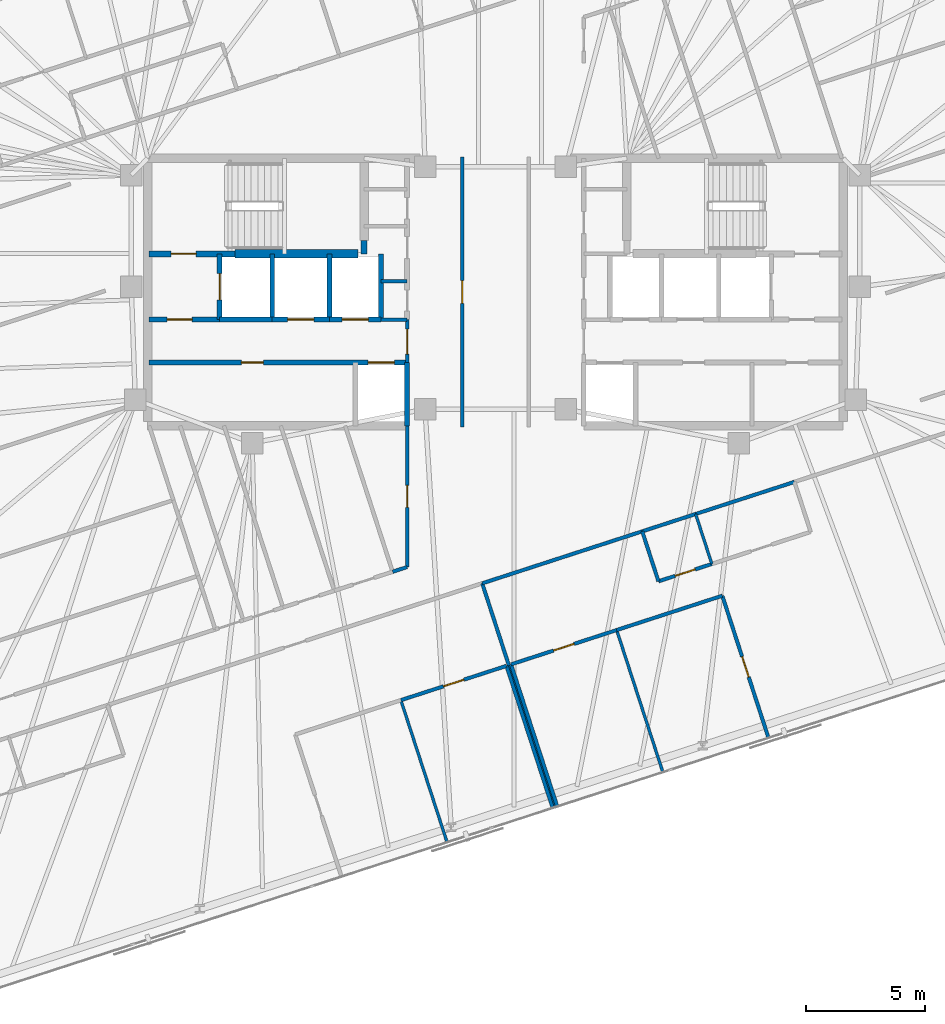
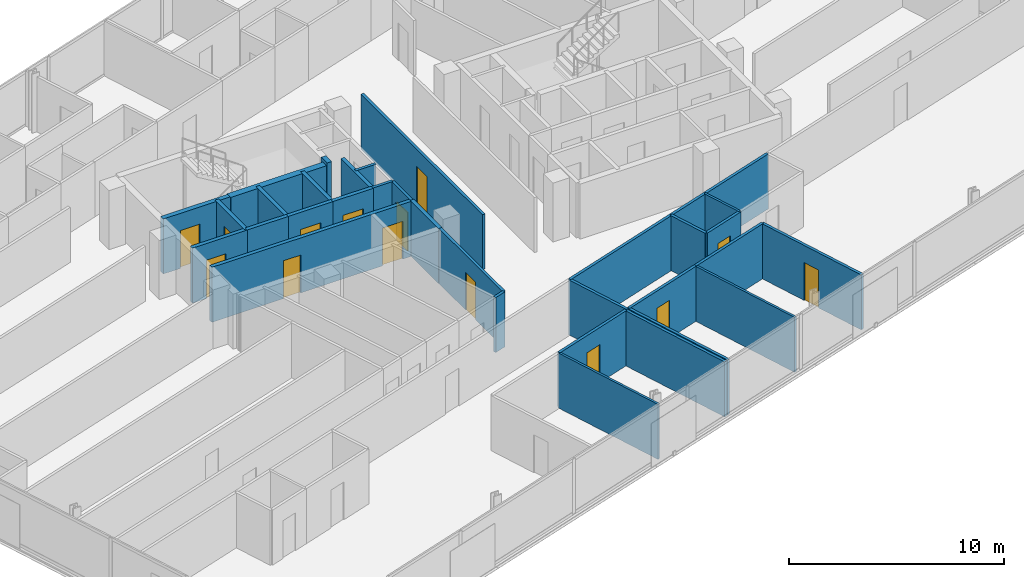
# One storey, part 14 of 20: 34 walls, 14 doors, 14 openings.
"""IFC4 building model written with IfcOpenShell, lengths in metres."""

from ifc_helpers import new_model, si_unit, direction, frame, frame_2d, origin, place, context, subcontext, project, spatial, rectangle, extrude, material, layer, layer_set, type_object, element, fill, save


model = new_model("IFC4")

# Units and contexts
model_context = context("Model", 3, precision=1e-05, world=origin(), true_north=direction((0.0, 1.0)))
body_context = subcontext(model_context, "Body", "Model", "MODEL_VIEW")
ifc_project = project(units=[si_unit("LENGTHUNIT", "METRE"), si_unit("AREAUNIT", "SQUARE_METRE"), si_unit("VOLUMEUNIT", "CUBIC_METRE"), si_unit("PLANEANGLEUNIT", "RADIAN"), si_unit("MASSUNIT", "GRAM", prefix="KILO")], contexts=[model_context])

# Site, building, storey
site_placement = place(None, origin())
site = spatial("IfcSite", under=ifc_project, at=site_placement, CompositionType="ELEMENT")
building_placement = place(site_placement, origin())
building = spatial("IfcBuilding", under=site, at=building_placement, Name="Menara Jurai Vektor", CompositionType="ELEMENT")
storey_placement = place(building_placement, frame((0.0, 0.0, 224.300048828125)))
storey = spatial("IfcBuildingStorey", under=building, at=storey_placement, Name="L59", CompositionType="ELEMENT", Elevation=224.300048828125)

# Wall, opening, door
ifc_material_1 = material(Name="Concrete C40/50", Category="concrete")
ifc_layer_1 = layer(ifc_material_1, 0.25)
ifc_layer_set_1 = layer_set([ifc_layer_1], Name="Concrete C40/50")
wall_type_1 = type_object("IfcWallType", Name="INT-WALL-CORE-250", PredefinedType="STANDARD", material=ifc_layer_set_1)
wall_1_placement = place(storey_placement, frame((-14.5, 1.60009765625, 0.0), z_axis=(0.0, 0.0, 1.0), x_axis=(1.0, 0.0, 0.0)))
wall_1 = element("IfcWall", 1, at=wall_1_placement, inside=storey, type_object=wall_type_1, Name="Interior Wall IW-250 L59", PredefinedType="STANDARD", context=body_context, shape_type="SweptSolid", body=[
    extrude(rectangle(XDim=3.60009765625, YDim=0.25, at=frame_2d((1.800048828125, 0.0))), origin(), (0.0, 0.0, 1.0), 3.125),
])
opening_1_placement = place(wall_1_placement, frame((0.919921875, 0.0, 0.0)))
opening_1 = element("IfcOpeningElement", 2, at=opening_1_placement, cuts=wall_1, Name="Opening D-L59-ST1", PredefinedType="OPENING", context=body_context, shape_type="SweptSolid", body=[
    extrude(rectangle(XDim=1.050048828125, YDim=2.14990234375, at=frame_2d((0.52490234375, 1.074951171875))), frame((0.0, 0.135009765625, 0.0), z_axis=(0.0, -1.0, 0.0), x_axis=(1.0, 0.0, 0.0)), (0.0, 0.0, 1.0), 0.27001953125),
])
ifc_material_2 = material(Name="Fire-Rated Steel Door", Category="steel")
door_type_1 = type_object("IfcDoorType", Name="DR-STAIR-1050", OperationType="NOTDEFINED", PredefinedType="DOOR", material=ifc_material_2)
door_1_placement = place(opening_1_placement, origin())
door_1 = element("IfcDoor", 3, at=door_1_placement, inside=storey, type_object=door_type_1, Name="Exit Stair ST1 Door L59", OperationType="SINGLE_SWING_RIGHT", OverallHeight=2.14990234375, OverallWidth=1.050048828125, PredefinedType="DOOR", context=body_context, shape_type="SweptSolid", body=[
    extrude(rectangle(XDim=1.050048828125, YDim=2.14990234375, at=frame_2d((0.52490234375, 1.074951171875))), frame((0.0, 0.02490234375, 0.0), z_axis=(0.0, -1.0, 0.0), x_axis=(1.0, 0.0, 0.0)), (0.0, 0.0, 1.0), 0.050048828125),
])
fill(opening_1, door_1)

# Wall
wall_2_placement = place(storey_placement, frame((-5.5, 1.60009765625, 0.0), z_axis=(0.0, 0.0, 1.0), x_axis=(0.0, 1.0, 0.0)))
element("IfcWall", 4, at=wall_2_placement, inside=storey, type_object=wall_type_1, Name="Interior Wall IW-250 L59", PredefinedType="STANDARD", context=body_context, shape_type="SweptSolid", body=[
    extrude(rectangle(XDim=0.5498046875, YDim=0.25, at=frame_2d((0.27490234375, 0.0))), origin(), (0.0, 0.0, 1.0), 3.125),
])

# Wall, opening, door
wall_3_placement = place(storey_placement, frame((-11.550048828125, -1.14990234375, 0.0), z_axis=(0.0, 0.0, 1.0), x_axis=(0.0, 1.0, 0.0)))
wall_3 = element("IfcWall", 5, at=wall_3_placement, inside=storey, type_object=wall_type_1, Name="Interior Wall IW-250 L59", PredefinedType="STANDARD", context=body_context, shape_type="SweptSolid", body=[
    extrude(rectangle(XDim=2.75, YDim=0.199951171875, at=frame_2d((1.375, 0.0))), origin(), (0.0, 0.0, 1.0), 3.125),
])
opening_2_placement = place(wall_3_placement, frame((0.824951171875, 0.0, 0.0)))
opening_2 = element("IfcOpeningElement", 6, at=opening_2_placement, cuts=wall_3, Name="Opening LD-L59-FL1", PredefinedType="OPENING", context=body_context, shape_type="SweptSolid", body=[
    extrude(rectangle(XDim=1.10009765625, YDim=2.14990234375, at=frame_2d((0.550048828125, 1.074951171875))), frame((0.0, 0.10986328125, 0.0), z_axis=(0.0, -1.0, 0.0), x_axis=(1.0, 0.0, 0.0)), (0.0, 0.0, 1.0), 0.219970703125),
])
ifc_material_3 = material(Name="Stainless Steel Sliding Lift Landing Door", Category="steel")
door_type_2 = type_object("IfcDoorType", Name="DR-LIFT-FIRE-1100", OperationType="NOTDEFINED", PredefinedType="DOOR", material=ifc_material_3)
door_2_placement = place(opening_2_placement, origin())
door_2 = element("IfcDoor", 7, at=door_2_placement, inside=storey, type_object=door_type_2, Name="Lift Landing Door FL1 L59", OperationType="SLIDING_TO_RIGHT", OverallHeight=2.14990234375, OverallWidth=1.10009765625, PredefinedType="DOOR", context=body_context, shape_type="SweptSolid", body=[
    extrude(rectangle(XDim=1.10009765625, YDim=2.14990234375, at=frame_2d((0.550048828125, 1.074951171875))), frame((0.0, 0.02490234375, 0.0), z_axis=(0.0, -1.0, 0.0), x_axis=(1.0, 0.0, 0.0)), (0.0, 0.0, 1.0), 0.050048828125),
])
fill(opening_2, door_2)

# Wall
wall_4_placement = place(storey_placement, frame((-9.35009765625, -1.14990234375, 0.0), z_axis=(0.0, 0.0, 1.0), x_axis=(0.0, 1.0, 0.0)))
element("IfcWall", 8, at=wall_4_placement, inside=storey, type_object=wall_type_1, Name="Interior Wall IW-250 L59", PredefinedType="STANDARD", context=body_context, shape_type="SweptSolid", body=[
    extrude(rectangle(XDim=2.75, YDim=0.199951171875, at=frame_2d((1.375, 0.0))), origin(), (0.0, 0.0, 1.0), 3.125),
])

# Wall, opening, door
wall_5_placement = place(storey_placement, frame((-14.5, -1.14990234375, 0.0), z_axis=(0.0, 0.0, 1.0), x_axis=(1.0, 0.0, 0.0)))
wall_5 = element("IfcWall", 9, at=wall_5_placement, inside=storey, type_object=wall_type_1, Name="Interior Wall IW-250 L59", PredefinedType="STANDARD", context=body_context, shape_type="SweptSolid", body=[
    extrude(rectangle(XDim=2.949951171875, YDim=0.199951171875, at=frame_2d((1.47509765625, 0.0))), origin(), (0.0, 0.0, 1.0), 3.125),
])
opening_3_placement = place(wall_5_placement, frame((0.75, 0.0, 0.0)))
opening_3 = element("IfcOpeningElement", 10, at=opening_3_placement, cuts=wall_5, Name="Opening D-L59-FFW", PredefinedType="OPENING", context=body_context, shape_type="SweptSolid", body=[
    extrude(rectangle(XDim=1.050048828125, YDim=2.179931640625, at=frame_2d((0.52490234375, 1.08984375))), frame((0.0, 0.10986328125, 0.0), z_axis=(0.0, -1.0, 0.0), x_axis=(1.0, 0.0, 0.0)), (0.0, 0.0, 1.0), 0.219970703125),
])
ifc_material_4 = material(Name="Fire-Rated Timber Door", Category="wood")
door_type_3 = type_object("IfcDoorType", Name="DR-LOBBY-1050", OperationType="NOTDEFINED", PredefinedType="DOOR", material=ifc_material_4)
door_3_placement = place(opening_3_placement, origin())
door_3 = element("IfcDoor", 11, at=door_3_placement, inside=storey, type_object=door_type_3, Name="Fire Lift Lobby Door W L59", OperationType="SINGLE_SWING_RIGHT", OverallHeight=2.179931640625, OverallWidth=1.050048828125, PredefinedType="DOOR", context=body_context, shape_type="SweptSolid", body=[
    extrude(rectangle(XDim=1.050048828125, YDim=2.179931640625, at=frame_2d((0.52490234375, 1.08984375))), frame((0.0, 0.02490234375, 0.0), z_axis=(0.0, -1.0, 0.0), x_axis=(1.0, 0.0, 0.0)), (0.0, 0.0, 1.0), 0.050048828125),
])
fill(opening_3, door_3)

# Wall
wall_6_placement = place(storey_placement, frame((-11.550048828125, -1.14990234375, 0.0), z_axis=(0.0, 0.0, 1.0), x_axis=(1.0, 0.0, 0.0)))
element("IfcWall", 12, at=wall_6_placement, inside=storey, type_object=wall_type_1, Name="Interior Wall IW-250 L59", PredefinedType="STANDARD", context=body_context, shape_type="SweptSolid", body=[
    extrude(rectangle(XDim=2.199951171875, YDim=0.199951171875, at=frame_2d((1.10009765625, 0.0))), origin(), (0.0, 0.0, 1.0), 3.125),
])

# Wall, opening, door
ifc_material_5 = material(Name="Gypsum Fireboard Partition", Category="gypsum")
ifc_layer_2 = layer(ifc_material_5, 0.14990234375)
ifc_layer_set_2 = layer_set([ifc_layer_2], Name="Gypsum Fireboard Partition")
wall_type_2 = type_object("IfcWallType", Name="INT-WALL-CORR-150", PredefinedType="PARTITIONING", material=ifc_layer_set_2)
wall_7_placement = place(storey_placement, frame((-3.699951171875, -2.949951171875, 0.0), z_axis=(0.0, 0.0, 1.0), x_axis=(0.0, 1.0, 0.0)))
wall_7 = element("IfcWall", 13, at=wall_7_placement, inside=storey, type_object=wall_type_2, Name="Interior Wall IW-150 L59", PredefinedType="PARTITIONING", context=body_context, shape_type="SweptSolid", body=[
    extrude(rectangle(XDim=1.800048828125, YDim=0.14990234375, at=frame_2d((0.89990234375, 0.0))), origin(), (0.0, 0.0, 1.0), 3.125),
])
opening_4_placement = place(wall_7_placement, frame((0.35009765625, 0.0, 0.0)))
opening_4 = element("IfcOpeningElement", 14, at=opening_4_placement, cuts=wall_7, Name="Opening D-L59-LLW", PredefinedType="OPENING", context=body_context, shape_type="SweptSolid", body=[
    extrude(rectangle(XDim=1.050048828125, YDim=2.179931640625, at=frame_2d((0.52490234375, 1.08984375))), frame((0.0, 0.0849609375, 0.0), z_axis=(0.0, -1.0, 0.0), x_axis=(1.0, 0.0, 0.0)), (0.0, 0.0, 1.0), 0.169921875),
])
door_4_placement = place(opening_4_placement, origin())
door_4 = element("IfcDoor", 15, at=door_4_placement, inside=storey, type_object=door_type_3, Name="Lift Lobby Corridor Door W L59", OperationType="SINGLE_SWING_LEFT", OverallHeight=2.179931640625, OverallWidth=1.050048828125, PredefinedType="DOOR", context=body_context, shape_type="SweptSolid", body=[
    extrude(rectangle(XDim=1.050048828125, YDim=2.179931640625, at=frame_2d((0.52490234375, 1.08984375))), frame((0.0, 0.02490234375, 0.0), z_axis=(0.0, -1.0, 0.0), x_axis=(1.0, 0.0, 0.0)), (0.0, 0.0, 1.0), 0.050048828125),
])
fill(opening_4, door_4)

# Walls
for number, where, z_axis, x_axis, name in (
    (16, (-4.7900390625, -1.14990234375, 0.0), (0.0, 0.0, 1.0), (1.0, 0.0, 0.0), "Interior Wall IW-150 L59"),
    (17, (-4.7900390625, 0.449951171875, 0.0), (0.0, 0.0, 1.0), (1.0, 0.0, 0.0), "Interior Wall IW-150 L59"),
):
    element("IfcWall", number, at=place(storey_placement, frame(where, z_axis=z_axis, x_axis=x_axis)), inside=storey, type_object=wall_type_2, Name=name, PredefinedType="PARTITIONING", context=body_context, shape_type="SweptSolid", body=[
        extrude(rectangle(XDim=1.090087890625, YDim=0.14990234375, at=frame_2d((0.544921875, 0.0))), origin(), (0.0, 0.0, 1.0), 3.125),
    ])

# Wall, opening, door
wall_8_placement = place(storey_placement, frame((-1.390625, -5.650146484375, 0.0), z_axis=(0.0, 0.0, 1.0), x_axis=(-8.6422954e-05, 0.999999996266, 0.0)))
wall_8 = element("IfcWall", 18, at=wall_8_placement, inside=storey, type_object=wall_type_2, Name="Interior Wall IW-150 L59", PredefinedType="PARTITIONING", context=body_context, shape_type="SweptSolid", body=[
    extrude(rectangle(XDim=11.2998046875, YDim=0.14990234375, at=frame_2d((5.64990234375, 0.0))), origin(), (0.0, 0.0, 1.0), 3.125),
])
opening_5_placement = place(wall_8_placement, frame((5.1748046875, 0.0, 0.0)))
opening_5 = element("IfcOpeningElement", 19, at=opening_5_placement, cuts=wall_8, Name="Opening D59-09", PredefinedType="OPENING", context=body_context, shape_type="SweptSolid", body=[
    extrude(rectangle(XDim=0.949951171875, YDim=2.14990234375, at=frame_2d((0.47509765625, 1.074951171875))), frame((0.0, 0.0849609375, 0.0), z_axis=(0.0, -1.0, 0.0), x_axis=(1.0, 0.0, 0.0)), (0.0, 0.0, 1.0), 0.169921875),
])
ifc_material_6 = material(Name="Solid Core Timber Fire Door", Category="wood")
door_type_4 = type_object("IfcDoorType", Name="DR-ENTRY-950", OperationType="NOTDEFINED", PredefinedType="DOOR", material=ifc_material_6)
door_5_placement = place(opening_5_placement, origin())
door_5 = element("IfcDoor", 20, at=door_5_placement, inside=storey, type_object=door_type_4, Name="Interior Door D59-09", OperationType="SINGLE_SWING_LEFT", OverallHeight=2.14990234375, OverallWidth=0.949951171875, PredefinedType="DOOR", context=body_context, shape_type="SweptSolid", body=[
    extrude(rectangle(XDim=0.949951171875, YDim=2.14990234375, at=frame_2d((0.47509765625, 1.074951171875))), frame((0.0, 0.02490234375, 0.0), z_axis=(0.0, -1.0, 0.0), x_axis=(1.0, 0.0, 0.0)), (0.0, 0.0, 1.0), 0.050048828125),
])
fill(opening_5, door_5)

# Walls
wall_9_placement = place(storey_placement, frame((-0.55517578125, -12.1953125, 0.0), z_axis=(0.0, 0.0, 1.0), x_axis=(0.951057495482, 0.309013980732, 0.0)))
element("IfcWall", 21, at=wall_9_placement, inside=storey, type_object=wall_type_2, Name="Interior Wall IW-150 L59", PredefinedType="PARTITIONING", context=body_context, shape_type="SweptSolid", body=[
    extrude(rectangle(XDim=7.044921875, YDim=0.14990234375, at=frame_2d((3.5224609375, 0.0))), origin(), (0.0, 0.0, 1.0), 3.125),
])
wall_10_placement = place(storey_placement, frame((6.14501953125, -10.018310546875, 0.0), z_axis=(0.0, 0.0, 1.0), x_axis=(0.951035595692, 0.309081373955, 0.0)))
element("IfcWall", 22, at=wall_10_placement, inside=storey, type_object=wall_type_2, Name="Interior Wall IW-150 L59", PredefinedType="PARTITIONING", context=body_context, shape_type="SweptSolid", body=[
    extrude(rectangle(XDim=2.349853515625, YDim=0.14990234375, at=frame_2d((1.1748046875, 0.0))), origin(), (0.0, 0.0, 1.0), 3.125),
])
wall_11_placement = place(storey_placement, frame((8.3798828125, -9.2919921875, 0.0), z_axis=(0.0, 0.0, 1.0), x_axis=(0.951074479912, 0.30896170258, 0.0)))
element("IfcWall", 23, at=wall_11_placement, inside=storey, type_object=wall_type_2, Name="Interior Wall IW-150 L59", PredefinedType="PARTITIONING", context=body_context, shape_type="SweptSolid", body=[
    extrude(rectangle(XDim=4.35009765625, YDim=0.14990234375, at=frame_2d((2.175048828125, 0.0))), origin(), (0.0, 0.0, 1.0), 3.125),
])
wall_12_placement = place(storey_placement, frame((-4.306396484375, -11.710693359375, 0.0), z_axis=(0.0, 0.0, 1.0), x_axis=(0.95110436063, 0.308869705847, 0.0)))
element("IfcWall", 24, at=wall_12_placement, inside=storey, type_object=wall_type_2, Name="Interior Wall IW-150 L59", PredefinedType="PARTITIONING", context=body_context, shape_type="SweptSolid", body=[
    extrude(rectangle(XDim=0.637939453125, YDim=0.14990234375, at=frame_2d((0.31884765625, 0.0))), origin(), (0.0, 0.0, 1.0), 3.125),
])

# Wall, opening, door
wall_13_placement = place(storey_placement, frame((-3.69970703125, -11.513671875, 0.0), z_axis=(0.0, 0.0, 1.0), x_axis=(-8.2572974e-05, 0.999999996591, 0.0)))
wall_13 = element("IfcWall", 25, at=wall_13_placement, inside=storey, type_object=wall_type_2, Name="Interior Wall IW-150 L59", PredefinedType="PARTITIONING", context=body_context, shape_type="SweptSolid", body=[
    extrude(rectangle(XDim=5.913330078125, YDim=0.14990234375, at=frame_2d((2.95654296875, 0.0))), origin(), (0.0, 0.0, 1.0), 3.125),
])
opening_6_placement = place(wall_13_placement, frame((2.49658203125, 0.0, 0.0)))
opening_6 = element("IfcOpeningElement", 26, at=opening_6_placement, cuts=wall_13, Name="Opening D59-49", PredefinedType="OPENING", context=body_context, shape_type="SweptSolid", body=[
    extrude(rectangle(XDim=0.919921875, YDim=2.14990234375, at=frame_2d((0.4599609375, 1.074951171875))), frame((0.0, 0.0849609375, 0.0), z_axis=(0.0, -1.0, 0.0), x_axis=(1.0, 0.0, 0.0)), (0.0, 0.0, 1.0), 0.169921875),
])
door_6_placement = place(opening_6_placement, origin())
door_6 = element("IfcDoor", 27, at=door_6_placement, inside=storey, type_object=door_type_4, Name="Interior Door D59-49", OperationType="SINGLE_SWING_LEFT", OverallHeight=2.14990234375, OverallWidth=0.919921875, PredefinedType="DOOR", context=body_context, shape_type="SweptSolid", body=[
    extrude(rectangle(XDim=0.919921875, YDim=2.14990234375, at=frame_2d((0.4599609375, 1.074951171875))), frame((0.0, 0.02490234375, 0.0), z_axis=(0.0, -1.0, 0.0), x_axis=(1.0, 0.0, 0.0)), (0.0, 0.0, 1.0), 0.050048828125),
])
fill(opening_6, door_6)

wall_14_placement = place(storey_placement, frame((-3.960205078125, -17.0869140625, 0.0), z_axis=(0.0, 0.0, 1.0), x_axis=(0.951050272606, 0.309036209813, 0.0)))
wall_14 = element("IfcWall", 28, at=wall_14_placement, inside=storey, type_object=wall_type_2, Name="Interior Wall IW-150 L59", PredefinedType="PARTITIONING", context=body_context, shape_type="SweptSolid", body=[
    extrude(rectangle(XDim=4.64990234375, YDim=0.14990234375, at=frame_2d((2.324951171875, 0.0))), origin(), (0.0, 0.0, 1.0), 3.125),
])
opening_7_placement = place(wall_14_placement, frame((1.875, 0.0, 0.0)))
opening_7 = element("IfcOpeningElement", 29, at=opening_7_placement, cuts=wall_14, Name="Opening D59-34", PredefinedType="OPENING", context=body_context, shape_type="SweptSolid", body=[
    extrude(rectangle(XDim=0.89990234375, YDim=2.14990234375, at=frame_2d((0.449951171875, 1.074951171875))), frame((0.0, 0.0849609375, 0.0), z_axis=(0.0, -1.0, 0.0), x_axis=(1.0, 0.0, 0.0)), (0.0, 0.0, 1.0), 0.169921875),
])
ifc_material_7 = material(Name="Acoustic Timber Interior Door", Category="wood")
door_type_5 = type_object("IfcDoorType", Name="DR-ROOM-900", OperationType="NOTDEFINED", PredefinedType="DOOR", material=ifc_material_7)
door_7_placement = place(opening_7_placement, origin())
door_7 = element("IfcDoor", 30, at=door_7_placement, inside=storey, type_object=door_type_5, Name="Interior Door D59-34", OperationType="SINGLE_SWING_RIGHT", OverallHeight=2.14990234375, OverallWidth=0.89990234375, PredefinedType="DOOR", context=body_context, shape_type="SweptSolid", body=[
    extrude(rectangle(XDim=0.89990234375, YDim=2.14990234375, at=frame_2d((0.449951171875, 1.074951171875))), frame((0.0, 0.02490234375, 0.0), z_axis=(0.0, -1.0, 0.0), x_axis=(1.0, 0.0, 0.0)), (0.0, 0.0, 1.0), 0.050048828125),
])
fill(opening_7, door_7)

# Walls
wall_15_placement = place(storey_placement, frame((2.397216796875, -21.60546875, 0.0), z_axis=(0.0, 0.0, 1.0), x_axis=(-0.309013782848, 0.951057559777, 0.0)))
element("IfcWall", 31, at=wall_15_placement, inside=storey, type_object=wall_type_2, Name="Interior Wall IW-150 L59", PredefinedType="PARTITIONING", context=body_context, shape_type="SweptSolid", body=[
    extrude(rectangle(XDim=6.261962890625, YDim=0.14990234375, at=frame_2d((3.130859375, 0.0))), origin(), (0.0, 0.0, 1.0), 3.125),
])
wall_16_placement = place(storey_placement, frame((2.4921875, -21.57470703125, 0.0), z_axis=(0.0, 0.0, 1.0), x_axis=(-0.308999867152, 0.951062081097, 0.0)))
element("IfcWall", 32, at=wall_16_placement, inside=storey, type_object=wall_type_2, Name="Interior Wall IW-150 L59", PredefinedType="PARTITIONING", context=body_context, shape_type="SweptSolid", body=[
    extrude(rectangle(XDim=9.862060546875, YDim=0.14990234375, at=frame_2d((4.93115234375, 0.0))), origin(), (0.0, 0.0, 1.0), 3.125),
])
wall_17_placement = place(storey_placement, frame((6.82470703125, -12.110595703125, 0.0), z_axis=(0.0, 0.0, 1.0), x_axis=(-0.308960600764, 0.951074837842, 0.0)))
element("IfcWall", 33, at=wall_17_placement, inside=storey, type_object=wall_type_2, Name="Interior Wall IW-150 L59", PredefinedType="PARTITIONING", context=body_context, shape_type="SweptSolid", body=[
    extrude(rectangle(XDim=2.199951171875, YDim=0.14990234375, at=frame_2d((1.10009765625, 0.0))), origin(), (0.0, 0.0, 1.0), 3.125),
])

# Wall, opening, door
wall_18_placement = place(storey_placement, frame((6.82470703125, -12.110595703125, 0.0), z_axis=(0.0, 0.0, 1.0), x_axis=(0.951076048914, 0.308956872689, 0.0)))
wall_18 = element("IfcWall", 34, at=wall_18_placement, inside=storey, type_object=wall_type_2, Name="Interior Wall IW-150 L59", PredefinedType="PARTITIONING", context=body_context, shape_type="SweptSolid", body=[
    extrude(rectangle(XDim=2.35009765625, YDim=0.14990234375, at=frame_2d((1.175048828125, 0.0))), origin(), (0.0, 0.0, 1.0), 3.125),
])
opening_8_placement = place(wall_18_placement, frame((0.735107421875, 0.0, 0.0)))
opening_8 = element("IfcOpeningElement", 35, at=opening_8_placement, cuts=wall_18, Name="Opening D59-36", PredefinedType="OPENING", context=body_context, shape_type="SweptSolid", body=[
    extrude(rectangle(XDim=0.8798828125, YDim=2.14990234375, at=frame_2d((0.43994140625, 1.074951171875))), frame((0.0, 0.0849609375, 0.0), z_axis=(0.0, -1.0, 0.0), x_axis=(1.0, 0.0, 0.0)), (0.0, 0.0, 1.0), 0.169921875),
])
ifc_material_8 = material(Name="Moisture-Resistant Timber Door", Category="wood")
door_type_6 = type_object("IfcDoorType", Name="DR-BATH-880", OperationType="NOTDEFINED", PredefinedType="DOOR", material=ifc_material_8)
door_8_placement = place(opening_8_placement, origin())
door_8 = element("IfcDoor", 36, at=door_8_placement, inside=storey, type_object=door_type_6, Name="Interior Door D59-36", OperationType="SINGLE_SWING_RIGHT", OverallHeight=2.14990234375, OverallWidth=0.8798828125, PredefinedType="DOOR", context=body_context, shape_type="SweptSolid", body=[
    extrude(rectangle(XDim=0.8798828125, YDim=2.14990234375, at=frame_2d((0.43994140625, 1.074951171875))), frame((0.0, 0.02490234375, 0.0), z_axis=(0.0, -1.0, 0.0), x_axis=(1.0, 0.0, 0.0)), (0.0, 0.0, 1.0), 0.050048828125),
])
fill(opening_8, door_8)

# Wall
wall_19_placement = place(storey_placement, frame((2.58740234375, -21.543701171875, 0.0), z_axis=(0.0, 0.0, 1.0), x_axis=(-0.309013782848, 0.951057559777, 0.0)))
element("IfcWall", 37, at=wall_19_placement, inside=storey, type_object=wall_type_2, Name="Interior Wall IW-150 L59", PredefinedType="PARTITIONING", context=body_context, shape_type="SweptSolid", body=[
    extrude(rectangle(XDim=6.261962890625, YDim=0.14990234375, at=frame_2d((3.130859375, 0.0))), origin(), (0.0, 0.0, 1.0), 3.125),
])

# Wall, opening, door
wall_20_placement = place(storey_placement, frame((0.65234375, -15.588134765625, 0.0), z_axis=(0.0, 0.0, 1.0), x_axis=(0.951065702951, 0.308988719326, 0.0)))
wall_20 = element("IfcWall", 38, at=wall_20_placement, inside=storey, type_object=wall_type_2, Name="Interior Wall IW-150 L59", PredefinedType="PARTITIONING", context=body_context, shape_type="SweptSolid", body=[
    extrude(rectangle(XDim=4.64990234375, YDim=0.14990234375, at=frame_2d((2.324951171875, 0.0))), origin(), (0.0, 0.0, 1.0), 3.125),
])
opening_9_placement = place(wall_20_placement, frame((1.875, 0.0, 0.0)))
opening_9 = element("IfcOpeningElement", 39, at=opening_9_placement, cuts=wall_20, Name="Opening D59-38", PredefinedType="OPENING", context=body_context, shape_type="SweptSolid", body=[
    extrude(rectangle(XDim=0.89990234375, YDim=2.14990234375, at=frame_2d((0.449951171875, 1.074951171875))), frame((0.0, 0.0849609375, 0.0), z_axis=(0.0, -1.0, 0.0), x_axis=(1.0, 0.0, 0.0)), (0.0, 0.0, 1.0), 0.169921875),
])
door_9_placement = place(opening_9_placement, origin())
door_9 = element("IfcDoor", 40, at=door_9_placement, inside=storey, type_object=door_type_5, Name="Interior Door D59-38", OperationType="SINGLE_SWING_RIGHT", OverallHeight=2.14990234375, OverallWidth=0.89990234375, PredefinedType="DOOR", context=body_context, shape_type="SweptSolid", body=[
    extrude(rectangle(XDim=0.89990234375, YDim=2.14990234375, at=frame_2d((0.449951171875, 1.074951171875))), frame((0.0, 0.02490234375, 0.0), z_axis=(0.0, -1.0, 0.0), x_axis=(1.0, 0.0, 0.0)), (0.0, 0.0, 1.0), 0.050048828125),
])
fill(opening_9, door_9)

# Wall
wall_21_placement = place(storey_placement, frame((5.07470703125, -14.1513671875, 0.0), z_axis=(0.0, 0.0, 1.0), x_axis=(0.951055286502, 0.309020779263, 0.0)))
element("IfcWall", 41, at=wall_21_placement, inside=storey, type_object=wall_type_2, Name="Interior Wall IW-150 L59", PredefinedType="PARTITIONING", context=body_context, shape_type="SweptSolid", body=[
    extrude(rectangle(XDim=4.650146484375, YDim=0.14990234375, at=frame_2d((2.3251953125, 0.0))), origin(), (0.0, 0.0, 1.0), 3.125),
])

# Wall, opening, door
wall_22_placement = place(storey_placement, frame((11.432373046875, -18.669921875, 0.0), z_axis=(0.0, 0.0, 1.0), x_axis=(-0.309013782848, 0.951057559777, 0.0)))
wall_22 = element("IfcWall", 42, at=wall_22_placement, inside=storey, type_object=wall_type_2, Name="Interior Wall IW-150 L59", PredefinedType="PARTITIONING", context=body_context, shape_type="SweptSolid", body=[
    extrude(rectangle(XDim=6.261962890625, YDim=0.14990234375, at=frame_2d((3.130859375, 0.0))), origin(), (0.0, 0.0, 1.0), 3.125),
])
opening_10_placement = place(wall_22_placement, frame((2.680908203125, 0.0, 0.0)))
opening_10 = element("IfcOpeningElement", 43, at=opening_10_placement, cuts=wall_22, Name="Opening D59-39", PredefinedType="OPENING", context=body_context, shape_type="SweptSolid", body=[
    extrude(rectangle(XDim=0.89990234375, YDim=2.14990234375, at=frame_2d((0.449951171875, 1.074951171875))), frame((0.0, 0.0849609375, 0.0), z_axis=(0.0, -1.0, 0.0), x_axis=(1.0, 0.0, 0.0)), (0.0, 0.0, 1.0), 0.169921875),
])
door_10_placement = place(opening_10_placement, origin())
door_10 = element("IfcDoor", 44, at=door_10_placement, inside=storey, type_object=door_type_5, Name="Interior Door D59-39", OperationType="SINGLE_SWING_LEFT", OverallHeight=2.14990234375, OverallWidth=0.89990234375, PredefinedType="DOOR", context=body_context, shape_type="SweptSolid", body=[
    extrude(rectangle(XDim=0.89990234375, YDim=2.14990234375, at=frame_2d((0.449951171875, 1.074951171875))), frame((0.0, 0.02490234375, 0.0), z_axis=(0.0, -1.0, 0.0), x_axis=(1.0, 0.0, 0.0)), (0.0, 0.0, 1.0), 0.050048828125),
])
fill(opening_10, door_10)

# Walls
ifc_material_9 = material(Name="Gypsum Acoustic Stud Partition", Category="gypsum")
ifc_layer_3 = layer(ifc_material_9, 0.1201171875)
ifc_layer_set_3 = layer_set([ifc_layer_3], Name="Gypsum Acoustic Stud Partition")
wall_type_3 = type_object("IfcWallType", Name="INT-WALL-PART-120", PredefinedType="PARTITIONING", material=ifc_layer_set_3)
wall_23_placement = place(storey_placement, frame((-2.025146484375, -23.04248046875, 0.0), z_axis=(0.0, 0.0, 1.0), x_axis=(-0.309013782848, 0.951057559777, 0.0)))
element("IfcWall", 45, at=wall_23_placement, inside=storey, type_object=wall_type_3, Name="Interior Wall IW-120 L59", PredefinedType="PARTITIONING", context=body_context, shape_type="SweptSolid", body=[
    extrude(rectangle(XDim=6.261962890625, YDim=0.1201171875, at=frame_2d((3.130859375, 0.0))), origin(), (0.0, 0.0, 1.0), 3.125),
])
wall_24_placement = place(storey_placement, frame((9.059814453125, -11.384521484375, 0.0), z_axis=(0.0, 0.0, 1.0), x_axis=(-0.309028364152, 0.951052821956, 0.0)))
element("IfcWall", 46, at=wall_24_placement, inside=storey, type_object=wall_type_3, Name="Interior Wall IW-120 L59", PredefinedType="PARTITIONING", context=body_context, shape_type="SweptSolid", body=[
    extrude(rectangle(XDim=2.2001953125, YDim=0.1201171875, at=frame_2d((1.10009765625, 0.0))), origin(), (0.0, 0.0, 1.0), 3.125),
])
wall_25_placement = place(storey_placement, frame((7.009765625, -20.106689453125, 0.0), z_axis=(0.0, 0.0, 1.0), x_axis=(-0.30902524124, 0.951053836687, 0.0)))
element("IfcWall", 47, at=wall_25_placement, inside=storey, type_object=wall_type_3, Name="Interior Wall IW-120 L59", PredefinedType="PARTITIONING", context=body_context, shape_type="SweptSolid", body=[
    extrude(rectangle(XDim=6.26171875, YDim=0.1201171875, at=frame_2d((3.130859375, 0.0))), origin(), (0.0, 0.0, 1.0), 3.125),
])
ifc_layer_4 = layer(ifc_material_1, 0.199951171875)
ifc_layer_set_4 = layer_set([ifc_layer_4], Name="Concrete C40/50")
wall_type_4 = type_object("IfcWallType", Name="INT-WALL-SHAFT-200", PredefinedType="STANDARD", material=ifc_layer_set_4)
wall_26_placement = place(storey_placement, frame((-3.699951171875, -5.60009765625, 0.0), z_axis=(0.0, 0.0, 1.0), x_axis=(0.0, 1.0, 0.0)))
element("IfcWall", 48, at=wall_26_placement, inside=storey, type_object=wall_type_4, Name="Interior Wall IW-200 L59", PredefinedType="STANDARD", context=body_context, shape_type="SweptSolid", body=[
    extrude(rectangle(XDim=2.650146484375, YDim=0.199951171875, at=frame_2d((1.3251953125, 0.0))), origin(), (0.0, 0.0, 1.0), 3.125),
])
wall_27_placement = place(storey_placement, frame((-6.949951171875, -1.14990234375, 0.0), z_axis=(0.0, 0.0, 1.0), x_axis=(0.0, 1.0, 0.0)))
element("IfcWall", 49, at=wall_27_placement, inside=storey, type_object=wall_type_4, Name="Interior Wall IW-200 L59", PredefinedType="STANDARD", context=body_context, shape_type="SweptSolid", body=[
    extrude(rectangle(XDim=2.75, YDim=0.199951171875, at=frame_2d((1.375, 0.0))), origin(), (0.0, 0.0, 1.0), 3.125),
])

# Wall, opening, door
wall_28_placement = place(storey_placement, frame((-9.35009765625, -1.14990234375, 0.0), z_axis=(0.0, 0.0, 1.0), x_axis=(1.0, 0.0, 0.0)))
wall_28 = element("IfcWall", 50, at=wall_28_placement, inside=storey, type_object=wall_type_4, Name="Interior Wall IW-200 L59", PredefinedType="STANDARD", context=body_context, shape_type="SweptSolid", body=[
    extrude(rectangle(XDim=2.400146484375, YDim=0.199951171875, at=frame_2d((1.2001953125, 0.0))), origin(), (0.0, 0.0, 1.0), 3.125),
])
opening_11_placement = place(wall_28_placement, frame((0.64990234375, 0.0, 0.0)))
opening_11 = element("IfcOpeningElement", 51, at=opening_11_placement, cuts=wall_28, Name="Opening LD-L59-SVL1", PredefinedType="OPENING", context=body_context, shape_type="SweptSolid", body=[
    extrude(rectangle(XDim=1.10009765625, YDim=2.14990234375, at=frame_2d((0.550048828125, 1.074951171875))), frame((0.0, 0.10986328125, 0.0), z_axis=(0.0, -1.0, 0.0), x_axis=(1.0, 0.0, 0.0)), (0.0, 0.0, 1.0), 0.219970703125),
])
ifc_material_10 = material(Name="Anodised Stainless Sliding Lift Landing Door", Category="steel")
door_type_7 = type_object("IfcDoorType", Name="DR-LIFT-PASS-1100", OperationType="NOTDEFINED", PredefinedType="DOOR", material=ifc_material_10)
door_11_placement = place(opening_11_placement, origin())
door_11 = element("IfcDoor", 52, at=door_11_placement, inside=storey, type_object=door_type_7, Name="Lift Landing Door SVL1 L59", OperationType="SLIDING_TO_RIGHT", OverallHeight=2.14990234375, OverallWidth=1.10009765625, PredefinedType="DOOR", context=body_context, shape_type="SweptSolid", body=[
    extrude(rectangle(XDim=1.10009765625, YDim=2.14990234375, at=frame_2d((0.550048828125, 1.074951171875))), frame((0.0, 0.02490234375, 0.0), z_axis=(0.0, -1.0, 0.0), x_axis=(1.0, 0.0, 0.0)), (0.0, 0.0, 1.0), 0.050048828125),
])
fill(opening_11, door_11)

# Wall
wall_29_placement = place(storey_placement, frame((-4.7900390625, -1.14990234375, 0.0), z_axis=(0.0, 0.0, 1.0), x_axis=(0.0, 1.0, 0.0)))
element("IfcWall", 53, at=wall_29_placement, inside=storey, type_object=wall_type_4, Name="Interior Wall IW-200 L59", PredefinedType="STANDARD", context=body_context, shape_type="SweptSolid", body=[
    extrude(rectangle(XDim=2.75, YDim=0.199951171875, at=frame_2d((1.375, 0.0))), origin(), (0.0, 0.0, 1.0), 3.125),
])

# Wall, opening, door
wall_30_placement = place(storey_placement, frame((-6.949951171875, -1.14990234375, 0.0), z_axis=(0.0, 0.0, 1.0), x_axis=(1.0, 0.0, 0.0)))
wall_30 = element("IfcWall", 54, at=wall_30_placement, inside=storey, type_object=wall_type_4, Name="Interior Wall IW-200 L59", PredefinedType="STANDARD", context=body_context, shape_type="SweptSolid", body=[
    extrude(rectangle(XDim=2.159912109375, YDim=0.199951171875, at=frame_2d((1.080078125, 0.0))), origin(), (0.0, 0.0, 1.0), 3.125),
])
opening_12_placement = place(wall_30_placement, frame((0.530029296875, 0.0, 0.0)))
opening_12 = element("IfcOpeningElement", 55, at=opening_12_placement, cuts=wall_30, Name="Opening LD-L59-PH2", PredefinedType="OPENING", context=body_context, shape_type="SweptSolid", body=[
    extrude(rectangle(XDim=1.10009765625, YDim=2.14990234375, at=frame_2d((0.550048828125, 1.074951171875))), frame((0.0, 0.10986328125, 0.0), z_axis=(0.0, -1.0, 0.0), x_axis=(1.0, 0.0, 0.0)), (0.0, 0.0, 1.0), 0.219970703125),
])
door_12_placement = place(opening_12_placement, origin())
door_12 = element("IfcDoor", 56, at=door_12_placement, inside=storey, type_object=door_type_7, Name="Lift Landing Door PH2 L59", OperationType="SLIDING_TO_RIGHT", OverallHeight=2.14990234375, OverallWidth=1.10009765625, PredefinedType="DOOR", context=body_context, shape_type="SweptSolid", body=[
    extrude(rectangle(XDim=1.10009765625, YDim=2.14990234375, at=frame_2d((0.550048828125, 1.074951171875))), frame((0.0, 0.02490234375, 0.0), z_axis=(0.0, -1.0, 0.0), x_axis=(1.0, 0.0, 0.0)), (0.0, 0.0, 1.0), 0.050048828125),
])
fill(opening_12, door_12)

# Wall, openings, doors
wall_31_placement = place(storey_placement, frame((-14.5, -2.949951171875, 0.0), z_axis=(0.0, 0.0, 1.0), x_axis=(1.0, 0.0, 0.0)))
wall_31 = element("IfcWall", 57, at=wall_31_placement, inside=storey, type_object=wall_type_4, Name="Interior Wall IW-200 L59", PredefinedType="STANDARD", context=body_context, shape_type="SweptSolid", body=[
    extrude(rectangle(XDim=10.800048828125, YDim=0.199951171875, at=frame_2d((5.39990234375, 0.0))), origin(), (0.0, 0.0, 1.0), 3.125),
])
opening_13_placement = place(wall_31_placement, frame((9.169921875, 0.0, 0.0)))
opening_13 = element("IfcOpeningElement", 58, at=opening_13_placement, cuts=wall_31, Name="Opening LD-L59-PH1", PredefinedType="OPENING", context=body_context, shape_type="SweptSolid", body=[
    extrude(rectangle(XDim=1.10009765625, YDim=2.14990234375, at=frame_2d((0.550048828125, 1.074951171875))), frame((0.0, 0.10986328125, 0.0), z_axis=(0.0, -1.0, 0.0), x_axis=(1.0, 0.0, 0.0)), (0.0, 0.0, 1.0), 0.219970703125),
])
opening_14_placement = place(wall_31_placement, frame((3.860107421875, 0.0, 0.0)))
opening_14 = element("IfcOpeningElement", 59, at=opening_14_placement, cuts=wall_31, Name="Opening D59-01", PredefinedType="OPENING", context=body_context, shape_type="SweptSolid", body=[
    extrude(rectangle(XDim=0.919921875, YDim=2.14990234375, at=frame_2d((0.4599609375, 1.074951171875))), frame((0.0, 0.10986328125, 0.0), z_axis=(0.0, -1.0, 0.0), x_axis=(1.0, 0.0, 0.0)), (0.0, 0.0, 1.0), 0.219970703125),
])
door_13_placement = place(opening_14_placement, origin())
door_13 = element("IfcDoor", 60, at=door_13_placement, inside=storey, type_object=door_type_4, Name="Interior Door D59-01", OperationType="SINGLE_SWING_LEFT", OverallHeight=2.14990234375, OverallWidth=0.919921875, PredefinedType="DOOR", context=body_context, shape_type="SweptSolid", body=[
    extrude(rectangle(XDim=0.919921875, YDim=2.14990234375, at=frame_2d((0.4599609375, 1.074951171875))), frame((0.0, 0.02490234375, 0.0), z_axis=(0.0, -1.0, 0.0), x_axis=(1.0, 0.0, 0.0)), (0.0, 0.0, 1.0), 0.050048828125),
])
fill(opening_14, door_13)
door_14_placement = place(opening_13_placement, origin())
door_14 = element("IfcDoor", 61, at=door_14_placement, inside=storey, type_object=door_type_7, Name="Lift Landing Door PH1 L59", OperationType="SLIDING_TO_RIGHT", OverallHeight=2.14990234375, OverallWidth=1.10009765625, PredefinedType="DOOR", context=body_context, shape_type="SweptSolid", body=[
    extrude(rectangle(XDim=1.10009765625, YDim=2.14990234375, at=frame_2d((0.550048828125, 1.074951171875))), frame((0.0, 0.02490234375, 0.0), z_axis=(0.0, -1.0, 0.0), x_axis=(1.0, 0.0, 0.0)), (0.0, 0.0, 1.0), 0.050048828125),
])
fill(opening_13, door_14)

# Wall
ifc_material_11 = material(Name="Concrete C50/60", Category="concrete")
ifc_layer_5 = layer(ifc_material_11, 0.35009765625)
ifc_layer_set_5 = layer_set([ifc_layer_5], Name="Concrete C50/60")
wall_type_5 = type_object("IfcWallType", Name="STR-WALL-CORE350", PredefinedType="SHEAR", material=ifc_layer_set_5)
wall_32_placement = place(storey_placement, frame((-10.89990234375, 1.60009765625, 0.0), z_axis=(0.0, 0.0, 1.0), x_axis=(1.0, 0.0, 0.0)))
element("IfcWall", 62, at=wall_32_placement, inside=storey, type_object=wall_type_5, Name="Core Shear Wall CW-W-STS L59", PredefinedType="SHEAR", context=body_context, shape_type="SweptSolid", body=[
    extrude(rectangle(XDim=5.14990234375, YDim=0.35009765625, at=frame_2d((2.574951171875, 0.0))), origin(), (0.0, 0.0, 1.0), 3.125),
])

save(model, "model.ifc")
